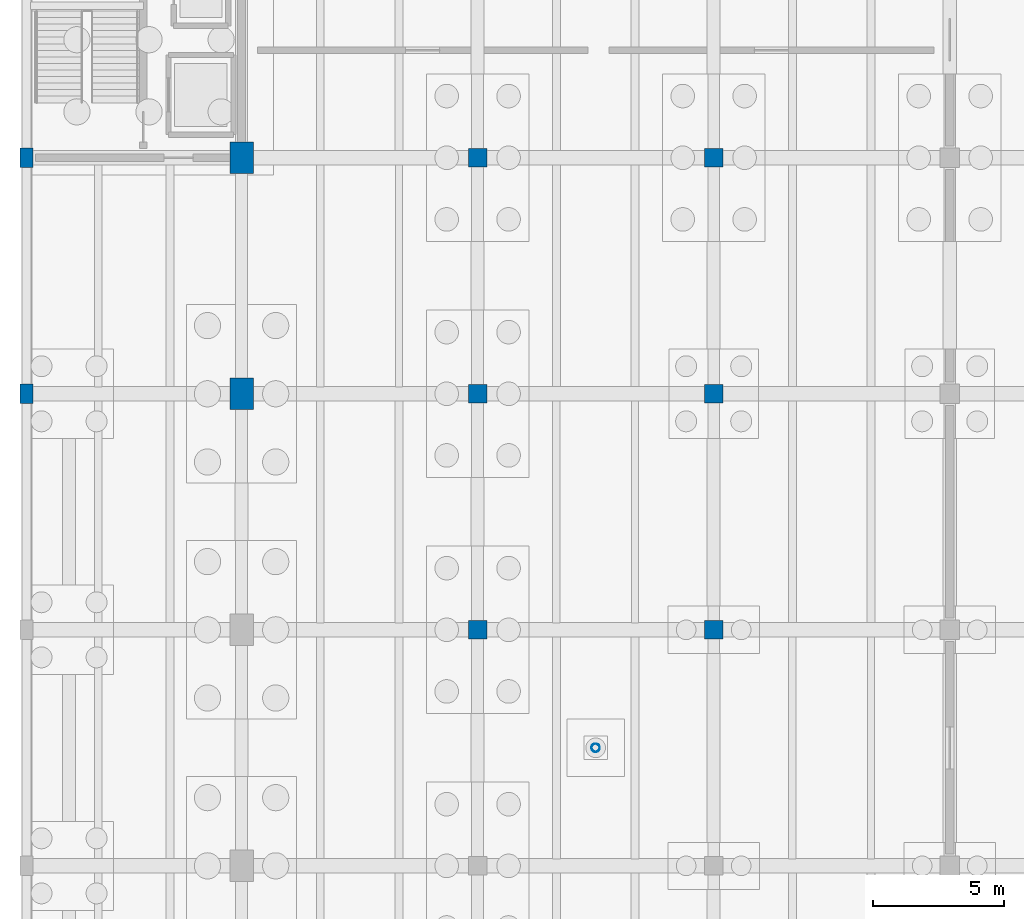
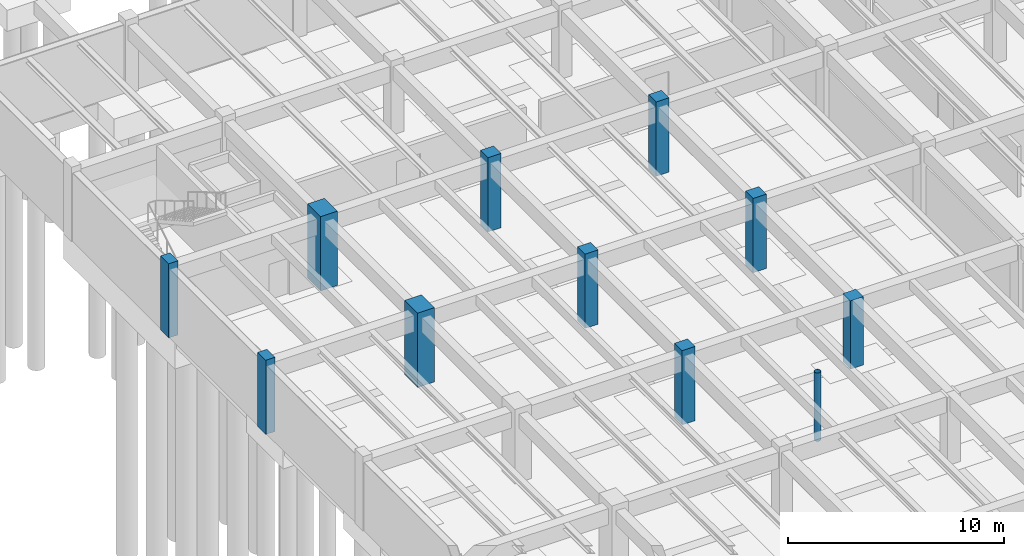
# One storey, part 9 of 23: 11 columns.
"""IFC4 building model written with IfcOpenShell, lengths in metres."""

from ifc_helpers import new_model, si_unit, direction, frame, origin, origin_2d, place, context, subcontext, project, spatial, rectangle, hollow_circle, extrude, material, material_profile, profile_set, type_object, element, save


model = new_model("IFC4")

# Units and contexts
model_context = context("Model", 3, precision=1e-05, world=origin(), true_north=direction((0.0, 1.0)))
body_context = subcontext(model_context, "Body", "Model", "MODEL_VIEW")
ifc_project = project(units=[si_unit("LENGTHUNIT", "METRE"), si_unit("AREAUNIT", "SQUARE_METRE"), si_unit("VOLUMEUNIT", "CUBIC_METRE"), si_unit("PLANEANGLEUNIT", "RADIAN"), si_unit("MASSUNIT", "GRAM", prefix="KILO")], contexts=[model_context])

# Site, building, storey
site_placement = place(None, origin())
site = spatial("IfcSite", under=ifc_project, at=site_placement, CompositionType="ELEMENT")
building_placement = place(site_placement, origin())
building = spatial("IfcBuilding", under=site, at=building_placement, Name="Ornek Quay Market", CompositionType="ELEMENT")
storey_placement = place(building_placement, frame((0.0, 0.0, -4.199951171875)))
storey = spatial("IfcBuildingStorey", under=building, at=storey_placement, Name="B1", CompositionType="ELEMENT", Elevation=-4.199951171875)

# Columns
ifc_material_1 = material(Name="Concrete C45/55", Category="concrete")
ifc_material_profile_1 = material_profile(ifc_material_1, rectangle(XDim=0.89990234375, YDim=1.199951171875, at=origin_2d()), Name="RC 900x1200", Category="concrete")
ifc_profile_set_1 = profile_set([ifc_material_profile_1], Name="Concrete C45/55")
column_type_1 = type_object("IfcColumnType", Name="COL-ARCH-900x1200", PredefinedType="COLUMN", material=ifc_profile_set_1)
for number, where, z_axis, x_axis, name in (
    (1, (63.0, 83.0, 0.0), (0.0, 0.0, 1.0), (1.0, 0.0, 0.0), "Column C-AR1-010"),
    (2, (63.0, 92.0, 0.0), (0.0, 0.0, 1.0), (1.0, 0.0, 0.0), "Column C-AR1-011"),
):
    element("IfcColumn", number, at=place(storey_placement, frame(where, z_axis=z_axis, x_axis=x_axis)), inside=storey, type_object=column_type_1, Name=name, PredefinedType="COLUMN", context=body_context, shape_type="SweptSolid", body=[
        extrude(rectangle(XDim=0.89990234375, YDim=1.199951171875, at=origin_2d()), origin(), (0.0, 0.0, 1.0), 4.199951171875),
    ])
ifc_material_2 = material(Name="Concrete C40/50", Category="concrete")
ifc_material_profile_2 = material_profile(ifc_material_2, rectangle(XDim=0.699951171875, YDim=0.699951171875, at=origin_2d()), Name="RC 700x700", Category="concrete")
ifc_profile_set_2 = profile_set([ifc_material_profile_2], Name="Concrete C40/50")
column_type_2 = type_object("IfcColumnType", Name="COL-B1-700x700", PredefinedType="COLUMN", material=ifc_profile_set_2)
for number, where, z_axis, x_axis, name in (
    (3, (72.0, 74.0, 0.0), (0.0, 0.0, 1.0), (1.0, 0.0, 0.0), "Column C-B1B-013"),
    (4, (72.0, 83.0, 0.0), (0.0, 0.0, 1.0), (1.0, 0.0, 0.0), "Column C-B1B-014"),
    (5, (72.0, 92.0, 0.0), (0.0, 0.0, 1.0), (1.0, 0.0, 0.0), "Column C-B1B-015"),
):
    element("IfcColumn", number, at=place(storey_placement, frame(where, z_axis=z_axis, x_axis=x_axis)), inside=storey, type_object=column_type_2, Name=name, PredefinedType="COLUMN", context=body_context, shape_type="SweptSolid", body=[
        extrude(rectangle(XDim=0.699951171875, YDim=0.699951171875, at=origin_2d()), origin(), (0.0, 0.0, 1.0), 4.199951171875),
    ])
column_1_placement = place(storey_placement, frame((81.0, 74.0, 0.0), z_axis=(0.0, 0.0, 1.0), x_axis=(1.0, 0.0, 0.0)))
element("IfcColumn", 6, at=column_1_placement, inside=storey, type_object=column_type_2, Name="Column C-B1B-026", PredefinedType="COLUMN", context=body_context, shape_type="SweptSolid", body=[
    extrude(rectangle(XDim=0.699951171875, YDim=0.699951171875, at=origin_2d()), origin(), (0.0, 0.0, 1.0), 3.85986328125),
])
for number, where, z_axis, x_axis, name in (
    (7, (81.0, 83.0, 0.0), (0.0, 0.0, 1.0), (1.0, 0.0, 0.0), "Column C-B1B-027"),
    (8, (81.0, 92.0, 0.0), (0.0, 0.0, 1.0), (1.0, 0.0, 0.0), "Column C-B1B-028"),
):
    element("IfcColumn", number, at=place(storey_placement, frame(where, z_axis=z_axis, x_axis=x_axis)), inside=storey, type_object=column_type_2, Name=name, PredefinedType="COLUMN", context=body_context, shape_type="SweptSolid", body=[
        extrude(rectangle(XDim=0.699951171875, YDim=0.699951171875, at=origin_2d()), origin(), (0.0, 0.0, 1.0), 4.199951171875),
    ])
ifc_material_profile_3 = material_profile(ifc_material_2, rectangle(XDim=0.5, YDim=0.75, at=origin_2d()), Name="RC 500x750", Category="concrete")
ifc_profile_set_3 = profile_set([ifc_material_profile_3], Name="Concrete C40/50")
column_type_3 = type_object("IfcColumnType", Name="COL-MJ-500x750", PredefinedType="COLUMN", material=ifc_profile_set_3)
for number, where, z_axis, x_axis, name in (
    (9, (54.800048828125, 83.0, 0.0), (0.0, 0.0, 1.0), (1.0, 0.0, 0.0), "Column C-MJ1-022"),
    (10, (54.800048828125, 92.0, 0.0), (0.0, 0.0, 1.0), (1.0, 0.0, 0.0), "Column C-MJ1-024"),
):
    element("IfcColumn", number, at=place(storey_placement, frame(where, z_axis=z_axis, x_axis=x_axis)), inside=storey, type_object=column_type_3, Name=name, PredefinedType="COLUMN", context=body_context, shape_type="SweptSolid", body=[
        extrude(rectangle(XDim=0.5, YDim=0.75, at=origin_2d()), origin(), (0.0, 0.0, 1.0), 4.199951171875),
    ])
ifc_material_3 = material(Name="Steel S355", Category="steel")
ifc_material_profile_4 = material_profile(ifc_material_3, hollow_circle(Radius=0.161865234375, WallThickness=0.012451171875, at=origin_2d()), Name="CHS 323.9x12.5", Category="steel")
ifc_profile_set_4 = profile_set([ifc_material_profile_4], Name="Steel S355")
column_type_4 = type_object("IfcColumnType", Name="COL-PORCH-CHS323", PredefinedType="PILASTER", material=ifc_profile_set_4)
column_2_placement = place(storey_placement, frame((76.5, 69.5, 0.0), z_axis=(0.0, 0.0, 1.0), x_axis=(1.0, 0.0, 0.0)))
element("IfcColumn", 11, at=column_2_placement, inside=storey, type_object=column_type_4, Name="Pavilion column CK-02", PredefinedType="PILASTER", context=body_context, shape_type="SweptSolid", body=[
    extrude(hollow_circle(Radius=0.161865234375, WallThickness=0.012451171875, at=origin_2d()), origin(), (0.0, 0.0, 1.0), 3.85986328125),
])

save(model, "model.ifc")
